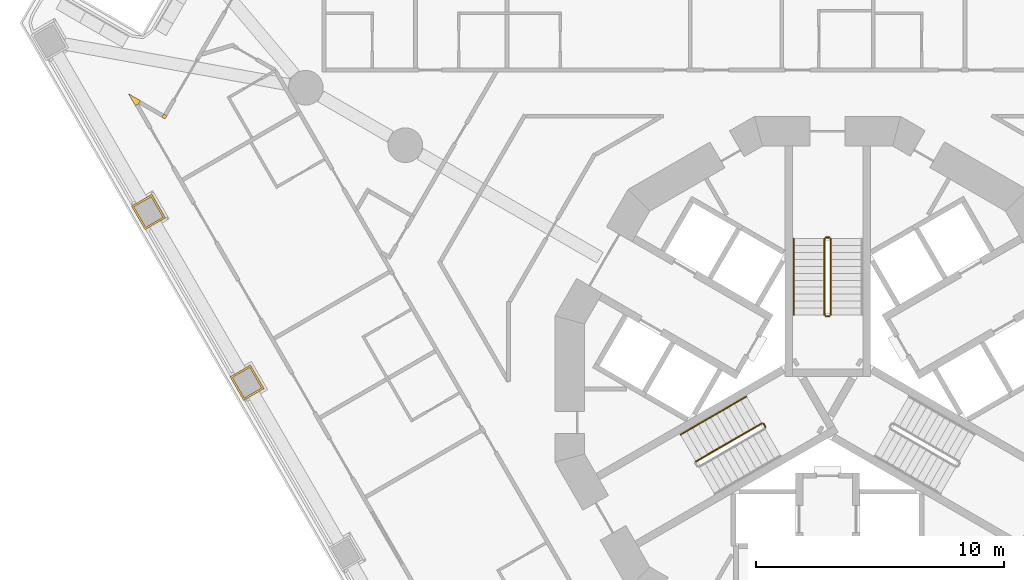
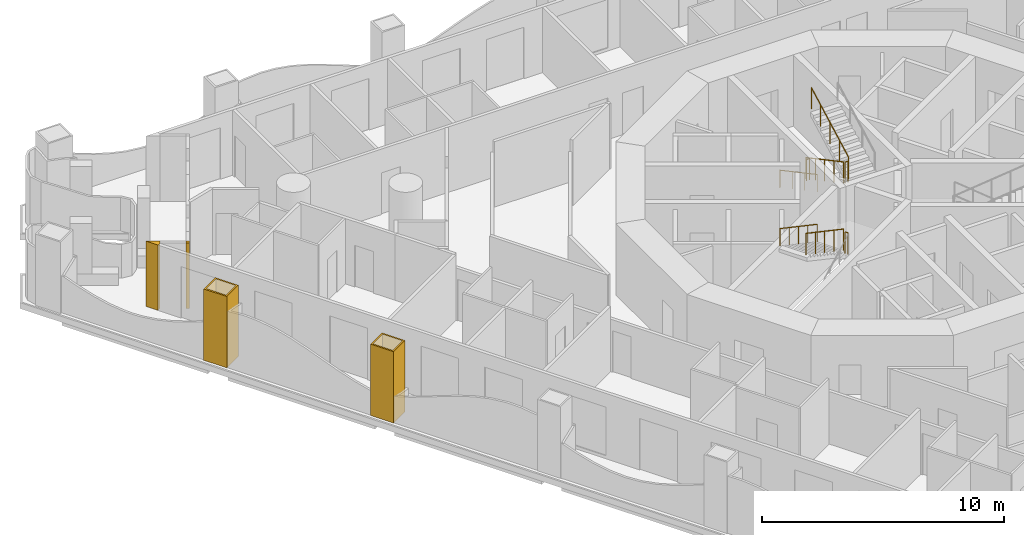
# One storey, part 16 of 20: 9 railings, 4 coverings.
"""IFC4 building model written with IfcOpenShell, lengths in metres."""

from ifc_helpers import new_model, si_unit, direction, frame, origin, origin_2d, place, context, subcontext, project, spatial, polyline, circle, outline, extrude, material, layer, layer_set, type_object, element, save


model = new_model("IFC4")

# Units and contexts
model_context = context("Model", 3, precision=1e-05, world=origin(), true_north=direction((0.0, 1.0)))
body_context = subcontext(model_context, "Body", "Model", "MODEL_VIEW")
ifc_project = project(units=[si_unit("LENGTHUNIT", "METRE"), si_unit("AREAUNIT", "SQUARE_METRE"), si_unit("VOLUMEUNIT", "CUBIC_METRE"), si_unit("PLANEANGLEUNIT", "RADIAN"), si_unit("MASSUNIT", "GRAM", prefix="KILO")], contexts=[model_context])

# Site, building, storey
site_placement = place(None, origin())
site = spatial("IfcSite", under=ifc_project, at=site_placement, CompositionType="ELEMENT")
building_placement = place(site_placement, origin())
building = spatial("IfcBuilding", under=site, at=building_placement, Name="Trine Commons Tower", CompositionType="ELEMENT")
storey_placement = place(building_placement, frame((0.0, 0.0, 35.10009765625)))
storey = spatial("IfcBuildingStorey", under=building, at=storey_placement, Name="L07", CompositionType="ELEMENT", Elevation=35.10009765625)

# Coverings
ifc_material_1 = material(Name="Aluminium-framed insulated wall panel", Category="aluminium")
ifc_layer_1 = layer(ifc_material_1, 0.14990234375)
ifc_layer_set_1 = layer_set([ifc_layer_1], Name="Aluminium-framed insulated wall panel")
covering_type_1 = type_object("IfcCoveringType", Name="Glazing corner post, aluminium", PredefinedType="CLADDING", material=ifc_layer_set_1)
covering_1_placement = place(storey_placement, origin())
element("IfcCovering", 1, at=covering_1_placement, inside=storey, type_object=covering_type_1, Name="Glazing corner post 1-01", PredefinedType="CLADDING", context=body_context, shape_type="SweptSolid", body=[
    extrude(outline(polyline([(51.75634765625, 74.43017578125), (51.75634765625, 74.43017578125), (52.036376953125, 73.9453125), (52.166259765625, 74.020263671875), (52.166259765625, 74.020263671875), (52.166259765625, 74.020263671875), (52.166259765625, 74.020263671875), (52.2412109375, 74.150146484375), (51.75634765625, 74.43017578125)])), origin(), (0.0, 0.0, 1.0), 3.2998046875),
])
covering_2_placement = place(storey_placement, origin())
element("IfcCovering", 2, at=covering_2_placement, inside=storey, type_object=covering_type_1, Name="Glazing corner post 1-02", PredefinedType="CLADDING", context=body_context, shape_type="SweptSolid", body=[
    extrude(outline(polyline([(53.1064453125, 73.4775390625), (53.236328125, 73.402587890625), (53.311279296875, 73.532470703125), (53.181396484375, 73.607421875), (53.1064453125, 73.4775390625)])), origin(), (0.0, 0.0, 1.0), 3.2998046875),
])
ifc_material_2 = material(Name="Limestone, honed", Category="masonry")
ifc_layer_2 = layer(ifc_material_2, 0.074951171875)
ifc_layer_set_2 = layer_set([ifc_layer_2], Name="Limestone, honed")
covering_type_2 = type_object("IfcCoveringType", Name="Limestone column cladding 75", PredefinedType="CLADDING", material=ifc_layer_set_2)
covering_3_placement = place(storey_placement, origin())
element("IfcCovering", 3, at=covering_3_placement, inside=storey, type_object=covering_type_2, Name="Limestone pier cladding 1-06", PredefinedType="CLADDING", context=body_context, shape_type="SweptSolid", body=[
    extrude(outline(polyline([(56.68359375, 63.46630859375), (55.860595703125, 62.9912109375), (56.41064453125, 62.03857421875), (57.2333984375, 62.513671875), (56.68359375, 63.46630859375)]), holes=[polyline([(56.656005859375, 63.36376953125), (55.963134765625, 62.9638671875), (56.438232421875, 62.14111328125), (57.131103515625, 62.541015625), (56.656005859375, 63.36376953125)])]), origin(), (0.0, 0.0, 1.0), 3.599853515625),
])
covering_4_placement = place(storey_placement, origin())
element("IfcCovering", 4, at=covering_4_placement, inside=storey, type_object=covering_type_2, Name="Limestone pier cladding 1-07", PredefinedType="CLADDING", context=body_context, shape_type="SweptSolid", body=[
    extrude(outline(polyline([(52.701904296875, 70.36279296875), (51.87890625, 69.8876953125), (52.428955078125, 68.93505859375), (53.251708984375, 69.41015625), (52.701904296875, 70.36279296875)]), holes=[polyline([(52.67431640625, 70.26025390625), (51.9814453125, 69.8603515625), (52.45654296875, 69.03759765625), (53.1494140625, 69.4375), (52.67431640625, 70.26025390625)])]), origin(), (0.0, 0.0, 1.0), 3.599853515625),
])

# Railings
ifc_material_3 = material(Name="Stainless steel balustrade", Category="steel")
railing_type_1 = type_object("IfcRailingType", Name="Stair guard, steel balustrade 1100", PredefinedType="GUARDRAIL", material=ifc_material_3)
railing_1_placement = place(storey_placement, frame((79.875, 68.570556640625, 0.14990234375)))
element("IfcRailing", 5, at=railing_1_placement, inside=storey, type_object=railing_type_1, Name="L07 ST1A stair guard 1", PredefinedType="GUARDRAIL", context=body_context, shape_type="SweptSolid", body=[
    extrude(circle(Radius=0.02392578125, at=origin_2d()), frame((0.0, 0.0, 1.076171875), z_axis=(0.0, -0.881496589024, 0.472190389079), x_axis=(1.0, 0.0, 0.0)), (0.0, 0.0, 1.0), 3.494140625),
    extrude(circle(Radius=0.02099609375, at=origin_2d()), origin(), (0.0, 0.0, 1.0), 1.052001953125),
    extrude(circle(Radius=0.02099609375, at=origin_2d()), frame((0.0, -0.77001953125, 0.41259765625)), (0.0, 0.0, 1.0), 1.052001953125),
    extrude(circle(Radius=0.02099609375, at=origin_2d()), frame((0.0, -1.5400390625, 0.824951171875)), (0.0, 0.0, 1.0), 1.052001953125),
    extrude(circle(Radius=0.02099609375, at=origin_2d()), frame((0.0, -2.31005859375, 1.2373046875)), (0.0, 0.0, 1.0), 1.052001953125),
    extrude(circle(Radius=0.02099609375, at=origin_2d()), frame((0.0, -3.080078125, 1.64990234375)), (0.0, 0.0, 1.0), 1.052001953125),
])
railing_2_placement = place(storey_placement, frame((79.925048828125, 65.440673828125, 1.7998046875)))
element("IfcRailing", 6, at=railing_2_placement, inside=storey, type_object=railing_type_1, Name="L07 ST1A stair guard 2", PredefinedType="GUARDRAIL", context=body_context, shape_type="SweptSolid", body=[
    extrude(circle(Radius=0.02392578125, at=origin_2d()), frame((0.0, 0.0, 1.076171875), z_axis=(1.0, 0.0, 0.0), x_axis=(0.0, 1.0, 0.0)), (0.0, 0.0, 1.0), 0.14990234375),
    extrude(circle(Radius=0.02099609375, at=origin_2d()), origin(), (0.0, 0.0, 1.0), 1.052001953125),
    extrude(circle(Radius=0.02099609375, at=origin_2d()), frame((0.14990234375, 0.0, 0.0)), (0.0, 0.0, 1.0), 1.052001953125),
])
railing_3_placement = place(storey_placement, frame((80.125, 65.490478515625, 1.949951171875)))
element("IfcRailing", 7, at=railing_3_placement, inside=storey, type_object=railing_type_1, Name="L07 ST1A stair guard 3", PredefinedType="GUARDRAIL", context=body_context, shape_type="SweptSolid", body=[
    extrude(circle(Radius=0.02392578125, at=origin_2d()), frame((0.0, 0.0, 1.076171875), z_axis=(0.0, 0.881496589024, 0.472190389079), x_axis=(-1.0, 0.0, 0.0)), (0.0, 0.0, 1.0), 3.494140625),
    extrude(circle(Radius=0.02099609375, at=origin_2d()), origin(), (0.0, 0.0, 1.0), 1.052001953125),
    extrude(circle(Radius=0.02099609375, at=origin_2d()), frame((0.0, 0.77001953125, 0.41259765625)), (0.0, 0.0, 1.0), 1.052001953125),
    extrude(circle(Radius=0.02099609375, at=origin_2d()), frame((0.0, 1.5400390625, 0.824951171875)), (0.0, 0.0, 1.0), 1.052001953125),
    extrude(circle(Radius=0.02099609375, at=origin_2d()), frame((0.0, 2.31005859375, 1.2373046875)), (0.0, 0.0, 1.0), 1.052001953125),
    extrude(circle(Radius=0.02099609375, at=origin_2d()), frame((0.0, 3.080078125, 1.64990234375)), (0.0, 0.0, 1.0), 1.052001953125),
])
railing_4_placement = place(storey_placement, frame((79.925048828125, 68.62060546875, 0.0)))
element("IfcRailing", 8, at=railing_4_placement, inside=storey, type_object=railing_type_1, Name="L07 ST1A stair guard 4", PredefinedType="GUARDRAIL", context=body_context, shape_type="SweptSolid", body=[
    extrude(circle(Radius=0.02392578125, at=origin_2d()), frame((0.0, 0.0, 1.076171875), z_axis=(1.0, 0.0, 0.0), x_axis=(0.0, 1.0, 0.0)), (0.0, 0.0, 1.0), 0.14990234375),
    extrude(circle(Radius=0.02099609375, at=origin_2d()), origin(), (0.0, 0.0, 1.0), 1.052001953125),
    extrude(circle(Radius=0.02099609375, at=origin_2d()), frame((0.14990234375, 0.0, 0.0)), (0.0, 0.0, 1.0), 1.052001953125),
])
railing_5_placement = place(storey_placement, frame((77.490966796875, 60.96484375, 1.7998046875)))
element("IfcRailing", 9, at=railing_5_placement, inside=storey, type_object=railing_type_1, Name="L07 ST2A stair guard 2", PredefinedType="GUARDRAIL", context=body_context, shape_type="SweptSolid", body=[
    extrude(circle(Radius=0.02392578125, at=origin_2d()), frame((0.0, 0.0, 1.076171875), z_axis=(-0.501036270542, 0.865426285481, 0.0), x_axis=(-0.865426285481, -0.501036270542, 0.0)), (0.0, 0.0, 1.0), 0.150146484375),
    extrude(circle(Radius=0.02099609375, at=origin_2d()), origin(), (0.0, 0.0, 1.0), 1.052001953125),
    extrude(circle(Radius=0.02099609375, at=origin_2d()), frame((-0.0751953125, 0.1298828125, 0.0)), (0.0, 0.0, 1.0), 1.052001953125),
])
railing_6_placement = place(storey_placement, frame((77.34765625, 61.113037109375, 1.949951171875)))
element("IfcRailing", 10, at=railing_6_placement, inside=storey, type_object=railing_type_1, Name="L07 ST2A stair guard 3", PredefinedType="GUARDRAIL", context=body_context, shape_type="SweptSolid", body=[
    extrude(circle(Radius=0.02392578125, at=origin_2d()), frame((0.0, 0.0, 1.076171875), z_axis=(-0.76340495495, -0.440743040072, 0.472184759798), x_axis=(0.499992328818, -0.866029832698, 0.0)), (0.0, 0.0, 1.0), 3.494140625),
    extrude(circle(Radius=0.02099609375, at=origin_2d()), origin(), (0.0, 0.0, 1.0), 1.052001953125),
    extrude(circle(Radius=0.02099609375, at=origin_2d()), frame((-0.6669921875, -0.385009765625, 0.41259765625)), (0.0, 0.0, 1.0), 1.052001953125),
    extrude(circle(Radius=0.02099609375, at=origin_2d()), frame((-1.333740234375, -0.77001953125, 0.824951171875)), (0.0, 0.0, 1.0), 1.052001953125),
    extrude(circle(Radius=0.02099609375, at=origin_2d()), frame((-2.00048828125, -1.155029296875, 1.2373046875)), (0.0, 0.0, 1.0), 1.052001953125),
    extrude(circle(Radius=0.02099609375, at=origin_2d()), frame((-2.66748046875, -1.5400390625, 1.64990234375)), (0.0, 0.0, 1.0), 1.052001953125),
])
ifc_material_4 = material(Name="Stainless steel handrail", Category="steel")
railing_type_2 = type_object("IfcRailingType", Name="Stair handrail, steel 900", PredefinedType="HANDRAIL", material=ifc_material_4)
railing_7_placement = place(storey_placement, frame((78.625, 68.570556640625, 0.14990234375)))
element("IfcRailing", 11, at=railing_7_placement, inside=storey, type_object=railing_type_2, Name="L07 ST1A stair handrail 1", PredefinedType="HANDRAIL", context=body_context, shape_type="SweptSolid", body=[
    extrude(circle(Radius=0.02099609375, at=origin_2d()), frame((0.0, 0.0, 0.87890625), z_axis=(0.0, -0.881496589024, 0.472190389079), x_axis=(1.0, 0.0, 0.0)), (0.0, 0.0, 1.0), 3.494140625),
    extrude(circle(Radius=0.01513671875, at=origin_2d()), origin(), (0.0, 0.0, 1.0), 0.85791015625),
    extrude(circle(Radius=0.01513671875, at=origin_2d()), frame((0.0, -1.026611328125, 0.550048828125)), (0.0, 0.0, 1.0), 0.85791015625),
    extrude(circle(Radius=0.01513671875, at=origin_2d()), frame((0.0, -2.053466796875, 1.099853515625)), (0.0, 0.0, 1.0), 0.85791015625),
    extrude(circle(Radius=0.01513671875, at=origin_2d()), frame((0.0, -3.080078125, 1.64990234375)), (0.0, 0.0, 1.0), 0.85791015625),
])
for number, where, name in (
    (12, (76.72265625, 62.195556640625, 1.949951171875), "L07 ST2A stair handrail 3"),
    (13, (75.388916015625, 61.425537109375, 2.77490234375), "L07 ST2A stair handrail 4"),
):
    element("IfcRailing", number, at=place(storey_placement, frame(where)), inside=storey, type_object=railing_type_2, Name=name, PredefinedType="HANDRAIL", context=body_context, shape_type="SweptSolid", body=[
        extrude(circle(Radius=0.02099609375, at=origin_2d()), frame((0.0, 0.0, 0.87890625), z_axis=(-0.76340495495, -0.440743040072, 0.472184759798), x_axis=(0.499992328818, -0.866029832698, 0.0)), (0.0, 0.0, 1.0), 1.7470703125),
        extrude(circle(Radius=0.01513671875, at=origin_2d()), origin(), (0.0, 0.0, 1.0), 0.85791015625),
        extrude(circle(Radius=0.01513671875, at=origin_2d()), frame((-0.6669921875, -0.385009765625, 0.41259765625)), (0.0, 0.0, 1.0), 0.85791015625),
        extrude(circle(Radius=0.01513671875, at=origin_2d()), frame((-1.333740234375, -0.77001953125, 0.824951171875)), (0.0, 0.0, 1.0), 0.85791015625),
    ])

save(model, "model.ifc")
